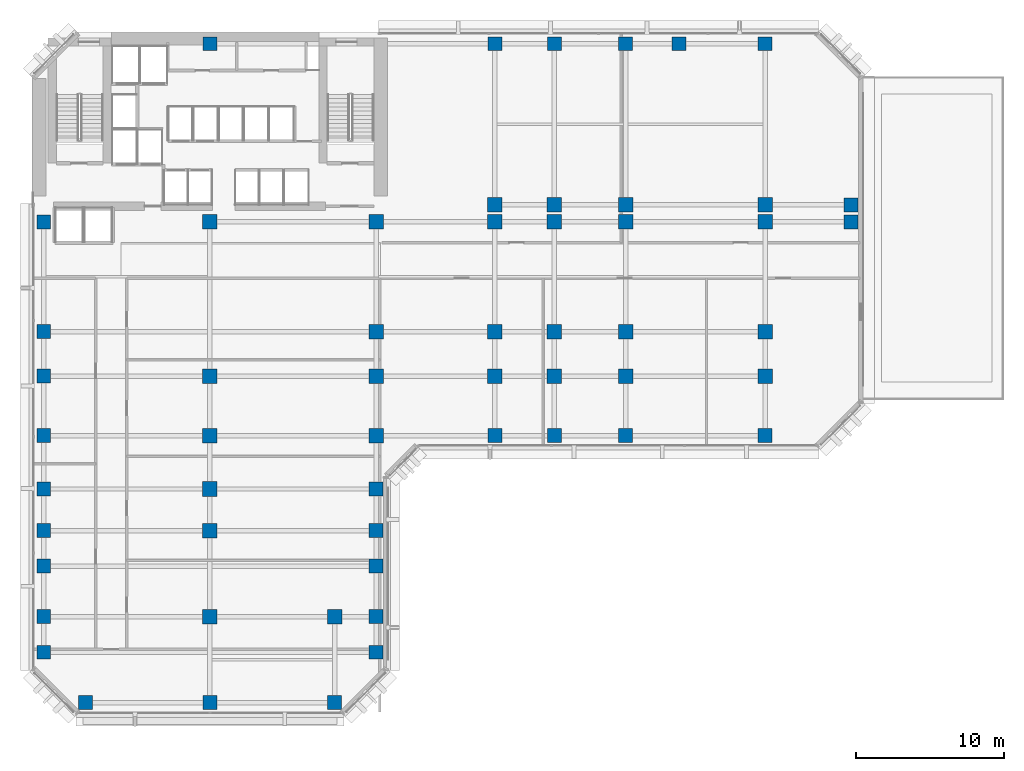
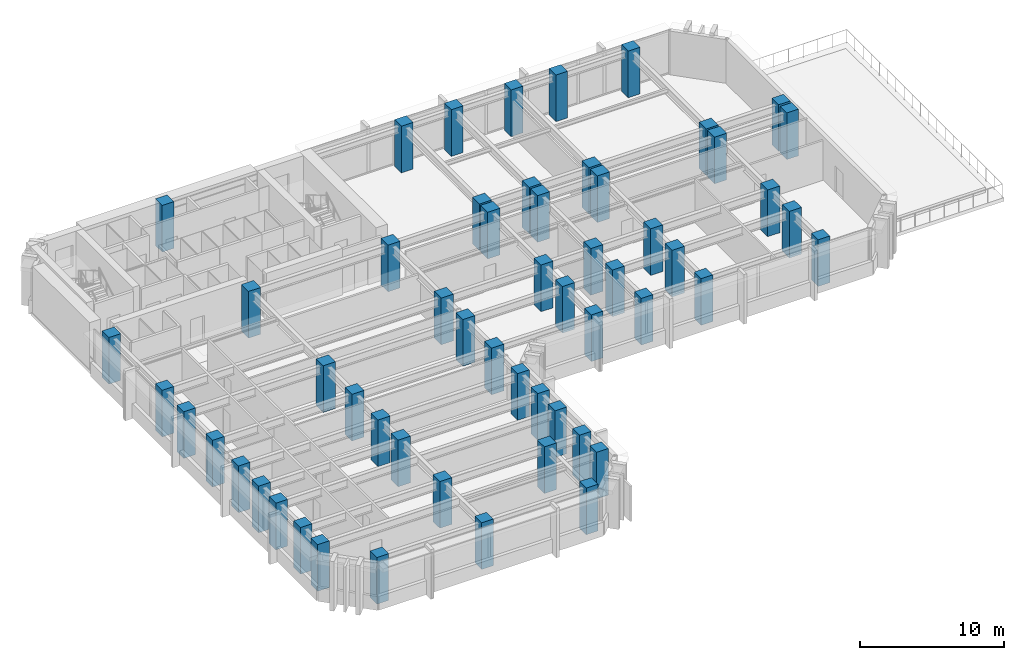
# One storey, part 1 of 13: 56 columns.
"""IFC4 building model written with IfcOpenShell, lengths in metres."""

from ifc_helpers import new_model, si_unit, direction, frame, origin, origin_2d, place, context, subcontext, project, spatial, rectangle, extrude, material, material_profile, profile_set, type_object, element, save


model = new_model("IFC4")

# Units and contexts
model_context = context("Model", 3, precision=1e-05, world=origin(), true_north=direction((0.0, 1.0)))
body_context = subcontext(model_context, "Body", "Model", "MODEL_VIEW")
ifc_project = project(units=[si_unit("LENGTHUNIT", "METRE"), si_unit("AREAUNIT", "SQUARE_METRE"), si_unit("VOLUMEUNIT", "CUBIC_METRE"), si_unit("PLANEANGLEUNIT", "RADIAN"), si_unit("MASSUNIT", "GRAM", prefix="KILO")], contexts=[model_context])

# Site, building, storey
site_placement = place(None, origin())
site = spatial("IfcSite", under=ifc_project, at=site_placement, CompositionType="ELEMENT")
building_placement = place(site_placement, origin())
building = spatial("IfcBuilding", under=site, at=building_placement, Name="Kefirva Bronze Tower", CompositionType="ELEMENT")
storey_placement = place(building_placement, frame((0.0, 0.0, 30.360107421875)))
storey = spatial("IfcBuildingStorey", under=building, at=storey_placement, Name="L06", CompositionType="ELEMENT", Elevation=30.360107421875)

# Columns
ifc_material = material(Name="Concrete C60/75", Category="concrete")
ifc_material_profile_1 = material_profile(ifc_material, rectangle(XDim=0.93994140625, YDim=0.93994140625, at=origin_2d()), Name="RC 940x940")
ifc_profile_set_1 = profile_set([ifc_material_profile_1], Name="Concrete C60/75")
column_type_1 = type_object("IfcColumnType", Name="RC Column 940x940 Ext", PredefinedType="COLUMN", material=ifc_profile_set_1)
for number, where, z_axis, x_axis, name in (
    (1, (0.800048828125, 4.199951171875, 0.0), (0.0, 0.0, 1.0), (1.0, 0.0, 0.0), "L06 Column C008_042"),
    (2, (0.800048828125, 6.60009765625, 0.0), (0.0, 0.0, 1.0), (1.0, 0.0, 0.0), "L06 Column C008_066"),
    (3, (0.800048828125, 10.0, 0.0), (0.0, 0.0, 1.0), (1.0, 0.0, 0.0), "L06 Column C008_100"),
    (4, (0.800048828125, 12.39990234375, 0.0), (0.0, 0.0, 1.0), (1.0, 0.0, 0.0), "L06 Column C008_124"),
    (5, (0.800048828125, 15.199951171875, 0.0), (0.0, 0.0, 1.0), (1.0, 0.0, 0.0), "L06 Column C008_152"),
    (6, (0.800048828125, 18.800048828125, 0.0), (0.0, 0.0, 1.0), (1.0, 0.0, 0.0), "L06 Column C008_188"),
    (7, (0.800048828125, 22.800048828125, 0.0), (0.0, 0.0, 1.0), (1.0, 0.0, 0.0), "L06 Column C008_228"),
    (8, (0.800048828125, 25.800048828125, 0.0), (0.0, 0.0, 1.0), (1.0, 0.0, 0.0), "L06 Column C008_258"),
    (9, (0.800048828125, 33.199951171875, 0.0), (0.0, 0.0, 1.0), (1.0, 0.0, 0.0), "L06 Column C008_332"),
    (10, (3.60009765625, 0.800048828125, 0.0), (0.0, 0.0, 1.0), (1.0, 0.0, 0.0), "L06 Column C036_008"),
    (11, (12.0, 0.800048828125, 0.0), (0.0, 0.0, 1.0), (1.0, 0.0, 0.0), "L06 Column C120_008"),
    (12, (12.0, 45.199951171875, 0.0), (0.0, 0.0, 1.0), (1.0, 0.0, 0.0), "L06 Column C120_452"),
    (13, (20.39990234375, 0.800048828125, 0.0), (0.0, 0.0, 1.0), (1.0, 0.0, 0.0), "L06 Column C204_008"),
    (14, (23.199951171875, 4.199951171875, 0.0), (0.0, 0.0, 1.0), (1.0, 0.0, 0.0), "L06 Column C232_042"),
    (15, (23.199951171875, 6.60009765625, 0.0), (0.0, 0.0, 1.0), (1.0, 0.0, 0.0), "L06 Column C232_066"),
    (16, (23.199951171875, 10.0, 0.0), (0.0, 0.0, 1.0), (1.0, 0.0, 0.0), "L06 Column C232_100"),
    (17, (23.199951171875, 12.39990234375, 0.0), (0.0, 0.0, 1.0), (1.0, 0.0, 0.0), "L06 Column C232_124"),
    (18, (23.199951171875, 15.199951171875, 0.0), (0.0, 0.0, 1.0), (1.0, 0.0, 0.0), "L06 Column C232_152"),
    (19, (31.199951171875, 18.800048828125, 0.0), (0.0, 0.0, 1.0), (1.0, 0.0, 0.0), "L06 Column C312_188"),
    (20, (31.199951171875, 45.199951171875, 0.0), (0.0, 0.0, 1.0), (1.0, 0.0, 0.0), "L06 Column C312_452"),
    (21, (35.199951171875, 18.800048828125, 0.0), (0.0, 0.0, 1.0), (1.0, 0.0, 0.0), "L06 Column C352_188"),
    (22, (35.199951171875, 45.199951171875, 0.0), (0.0, 0.0, 1.0), (1.0, 0.0, 0.0), "L06 Column C352_452"),
    (23, (40.0, 18.800048828125, 0.0), (0.0, 0.0, 1.0), (1.0, 0.0, 0.0), "L06 Column C400_188"),
    (24, (40.0, 45.199951171875, 0.0), (0.0, 0.0, 1.0), (1.0, 0.0, 0.0), "L06 Column C400_452"),
    (25, (43.60009765625, 45.199951171875, 0.0), (0.0, 0.0, 1.0), (1.0, 0.0, 0.0), "L06 Column C436_452"),
    (26, (49.39990234375, 18.800048828125, 0.0), (0.0, 0.0, 1.0), (1.0, 0.0, 0.0), "L06 Column C494_188"),
    (27, (49.39990234375, 45.199951171875, 0.0), (0.0, 0.0, 1.0), (1.0, 0.0, 0.0), "L06 Column C494_452"),
    (28, (55.199951171875, 33.199951171875, 0.0), (0.0, 0.0, 1.0), (1.0, 0.0, 0.0), "L06 Column C552_332"),
    (29, (55.199951171875, 34.35009765625, 0.0), (0.0, 0.0, 1.0), (1.0, 0.0, 0.0), "L06 Column C552_344"),
):
    element("IfcColumn", number, at=place(storey_placement, frame(where, z_axis=z_axis, x_axis=x_axis)), inside=storey, type_object=column_type_1, Name=name, PredefinedType="COLUMN", context=body_context, shape_type="SweptSolid", body=[
        extrude(rectangle(XDim=0.93994140625, YDim=0.93994140625, at=origin_2d()), origin(), (0.0, 0.0, 1.0), 3.9599609375),
    ])
ifc_material_profile_2 = material_profile(ifc_material, rectangle(XDim=0.97998046875, YDim=0.97998046875, at=origin_2d()), Name="RC 980x980")
ifc_profile_set_2 = profile_set([ifc_material_profile_2], Name="Concrete C60/75")
column_type_2 = type_object("IfcColumnType", Name="RC Column 980x980 Int", PredefinedType="COLUMN", material=ifc_profile_set_2)
for number, where, z_axis, x_axis, name in (
    (30, (12.0, 6.60009765625, 0.0), (0.0, 0.0, 1.0), (1.0, 0.0, 0.0), "L06 Column C120_066"),
    (31, (12.0, 12.39990234375, 0.0), (0.0, 0.0, 1.0), (1.0, 0.0, 0.0), "L06 Column C120_124"),
    (32, (12.0, 15.199951171875, 0.0), (0.0, 0.0, 1.0), (1.0, 0.0, 0.0), "L06 Column C120_152"),
    (33, (12.0, 18.800048828125, 0.0), (0.0, 0.0, 1.0), (1.0, 0.0, 0.0), "L06 Column C120_188"),
    (34, (12.0, 22.800048828125, 0.0), (0.0, 0.0, 1.0), (1.0, 0.0, 0.0), "L06 Column C120_228"),
    (35, (12.0, 33.199951171875, 0.0), (0.0, 0.0, 1.0), (1.0, 0.0, 0.0), "L06 Column C120_332"),
    (36, (20.39990234375, 6.60009765625, 0.0), (0.0, 0.0, 1.0), (1.0, 0.0, 0.0), "L06 Column C204_066"),
    (37, (23.199951171875, 18.800048828125, 0.0), (0.0, 0.0, 1.0), (1.0, 0.0, 0.0), "L06 Column C232_188"),
    (38, (23.199951171875, 22.800048828125, 0.0), (0.0, 0.0, 1.0), (1.0, 0.0, 0.0), "L06 Column C232_228"),
    (39, (23.199951171875, 25.800048828125, 0.0), (0.0, 0.0, 1.0), (1.0, 0.0, 0.0), "L06 Column C232_258"),
    (40, (23.199951171875, 33.199951171875, 0.0), (0.0, 0.0, 1.0), (1.0, 0.0, 0.0), "L06 Column C232_332"),
    (41, (31.199951171875, 22.800048828125, 0.0), (0.0, 0.0, 1.0), (1.0, 0.0, 0.0), "L06 Column C312_228"),
    (42, (31.199951171875, 25.800048828125, 0.0), (0.0, 0.0, 1.0), (1.0, 0.0, 0.0), "L06 Column C312_258"),
    (43, (31.199951171875, 33.199951171875, 0.0), (0.0, 0.0, 1.0), (1.0, 0.0, 0.0), "L06 Column C312_332"),
    (44, (31.199951171875, 34.35009765625, 0.0), (0.0, 0.0, 1.0), (1.0, 0.0, 0.0), "L06 Column C312_344"),
    (45, (35.199951171875, 22.800048828125, 0.0), (0.0, 0.0, 1.0), (1.0, 0.0, 0.0), "L06 Column C352_228"),
    (46, (35.199951171875, 25.800048828125, 0.0), (0.0, 0.0, 1.0), (1.0, 0.0, 0.0), "L06 Column C352_258"),
    (47, (35.199951171875, 33.199951171875, 0.0), (0.0, 0.0, 1.0), (1.0, 0.0, 0.0), "L06 Column C352_332"),
    (48, (35.199951171875, 34.35009765625, 0.0), (0.0, 0.0, 1.0), (1.0, 0.0, 0.0), "L06 Column C352_344"),
    (49, (40.0, 22.800048828125, 0.0), (0.0, 0.0, 1.0), (1.0, 0.0, 0.0), "L06 Column C400_228"),
    (50, (40.0, 25.800048828125, 0.0), (0.0, 0.0, 1.0), (1.0, 0.0, 0.0), "L06 Column C400_258"),
    (51, (40.0, 33.199951171875, 0.0), (0.0, 0.0, 1.0), (1.0, 0.0, 0.0), "L06 Column C400_332"),
    (52, (40.0, 34.35009765625, 0.0), (0.0, 0.0, 1.0), (1.0, 0.0, 0.0), "L06 Column C400_344"),
    (53, (49.39990234375, 22.800048828125, 0.0), (0.0, 0.0, 1.0), (1.0, 0.0, 0.0), "L06 Column C494_228"),
    (54, (49.39990234375, 25.800048828125, 0.0), (0.0, 0.0, 1.0), (1.0, 0.0, 0.0), "L06 Column C494_258"),
    (55, (49.39990234375, 33.199951171875, 0.0), (0.0, 0.0, 1.0), (1.0, 0.0, 0.0), "L06 Column C494_332"),
    (56, (49.39990234375, 34.35009765625, 0.0), (0.0, 0.0, 1.0), (1.0, 0.0, 0.0), "L06 Column C494_344"),
):
    element("IfcColumn", number, at=place(storey_placement, frame(where, z_axis=z_axis, x_axis=x_axis)), inside=storey, type_object=column_type_2, Name=name, PredefinedType="COLUMN", context=body_context, shape_type="SweptSolid", body=[
        extrude(rectangle(XDim=0.97998046875, YDim=0.97998046875, at=origin_2d()), origin(), (0.0, 0.0, 1.0), 3.9599609375),
    ])

save(model, "model.ifc")
